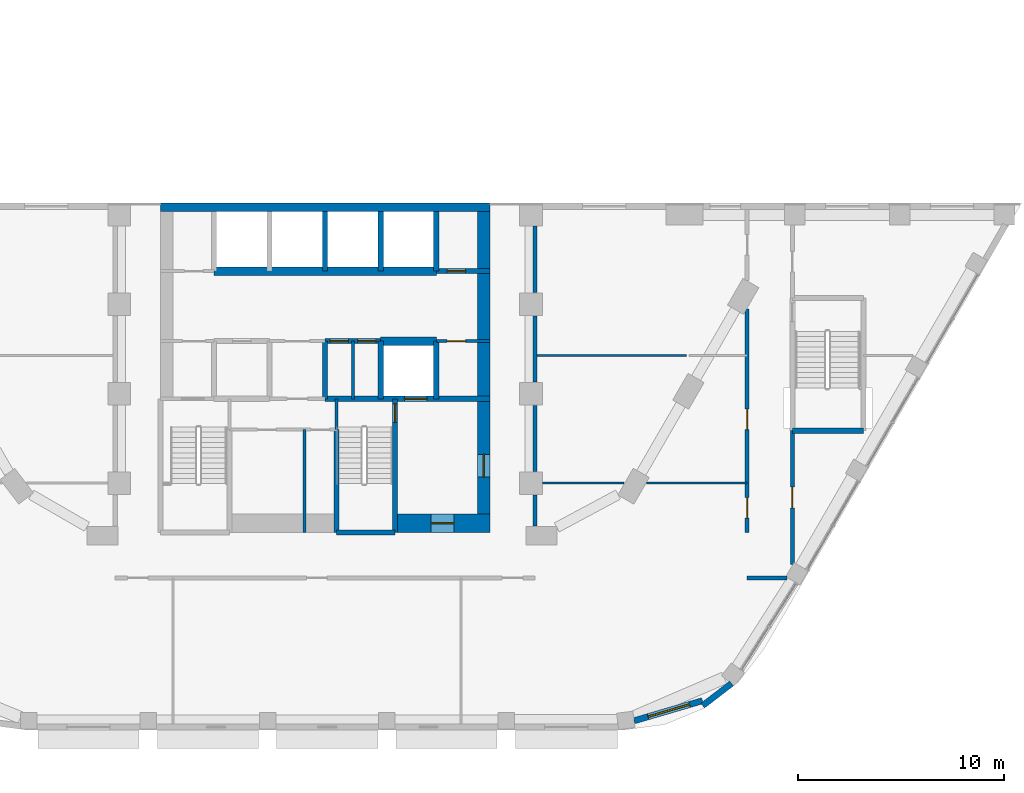
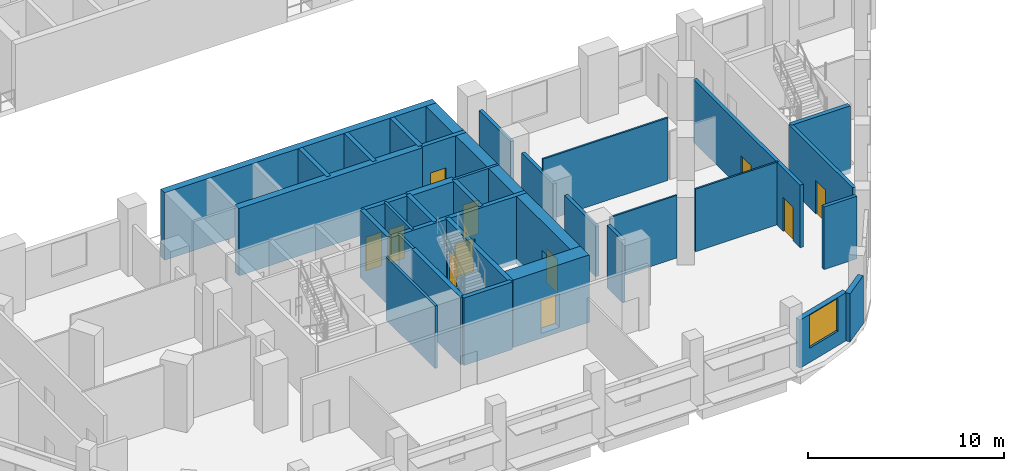
# One storey, part 18 of 33: 34 walls, 11 doors, 1 window, 12 openings.
"""IFC4 building model written with IfcOpenShell, lengths in metres."""

from ifc_helpers import new_model, si_unit, direction, frame, frame_2d, origin, place, context, subcontext, project, spatial, rectangle, extrude, material, layer, layer_set, type_object, element, fill, save


model = new_model("IFC4")

# Units and contexts
model_context = context("Model", 3, precision=1e-05, world=origin(), true_north=direction((0.0, 1.0)))
body_context = subcontext(model_context, "Body", "Model", "MODEL_VIEW")
ifc_project = project(units=[si_unit("LENGTHUNIT", "METRE"), si_unit("AREAUNIT", "SQUARE_METRE"), si_unit("VOLUMEUNIT", "CUBIC_METRE"), si_unit("PLANEANGLEUNIT", "RADIAN"), si_unit("MASSUNIT", "GRAM", prefix="KILO")], contexts=[model_context])

# Site, building, storey
site_placement = place(None, origin())
site = spatial("IfcSite", under=ifc_project, at=site_placement, CompositionType="ELEMENT")
building_placement = place(site_placement, origin())
building = spatial("IfcBuilding", under=site, at=building_placement, Name="Nakaniwa Court", CompositionType="ELEMENT")
storey_placement = place(building_placement, frame((0.0, 0.0, 19.800048828125)))
storey = spatial("IfcBuildingStorey", under=building, at=storey_placement, Name="L04", CompositionType="ELEMENT", Elevation=19.800048828125)

# Wall, opening, door
ifc_material_1 = material(Name="Acoustic double stud partition")
ifc_layer_1 = layer(ifc_material_1, 0.199951171875)
ifc_layer_set_1 = layer_set([ifc_layer_1], Name="Acoustic double stud partition")
wall_type_1 = type_object("IfcWallType", Name="Acoustic double stud partition 200", PredefinedType="PARTITIONING", material=ifc_layer_set_1)
wall_1_placement = place(storey_placement, frame((102.699951171875, 61.552978515625, 0.0), z_axis=(0.0, 0.0, 1.0), x_axis=(0.0, -1.0, 0.0)))
wall_1 = element("IfcWall", 1, at=wall_1_placement, inside=storey, type_object=wall_type_1, Name="Partition PW-079", PredefinedType="PARTITIONING", context=body_context, shape_type="SweptSolid", body=[
    extrude(rectangle(XDim=6.49853515625, YDim=0.199951171875, at=frame_2d((3.249267578125, 0.0))), origin(), (0.0, 0.0, 1.0), 3.89990234375),
])
opening_1_placement = place(wall_1_placement, frame((2.75, 0.0, 0.0)))
opening_1 = element("IfcOpeningElement", 2, at=opening_1_placement, cuts=wall_1, Name="Opening D-02-10", PredefinedType="OPENING", context=body_context, shape_type="SweptSolid", body=[
    extrude(rectangle(XDim=1.0, YDim=2.10009765625, at=frame_2d((0.5, 1.050048828125))), frame((0.0, 0.10986328125, 0.0), z_axis=(0.0, -1.0, 0.0), x_axis=(1.0, 0.0, 0.0)), (0.0, 0.0, 1.0), 0.219970703125),
])
ifc_material_2 = material(Name="Solid core timber door set, black veneer", Category="wood")
door_type_1 = type_object("IfcDoorType", Name="Internal door 1000", OperationType="NOTDEFINED", PredefinedType="DOOR", material=ifc_material_2)
door_1_placement = place(opening_1_placement, origin())
door_1 = element("IfcDoor", 3, at=door_1_placement, inside=storey, type_object=door_type_1, Name="Door D-02-10 L04-041", OperationType="SINGLE_SWING_RIGHT", OverallHeight=2.10009765625, OverallWidth=1.0, PredefinedType="DOOR", context=body_context, shape_type="SweptSolid", body=[
    extrude(rectangle(XDim=1.0, YDim=2.10009765625, at=frame_2d((0.5, 1.050048828125))), frame((0.0, 0.02490234375, 0.0), z_axis=(0.0, -1.0, 0.0), x_axis=(1.0, 0.0, 0.0)), (0.0, 0.0, 1.0), 0.050048828125),
])
fill(opening_1, door_1)

# Wall, openings, doors
wall_2_placement = place(storey_placement, frame((100.5, 56.596923828125, 0.0), z_axis=(0.0, 0.0, 1.0), x_axis=(0.0, 1.0, 0.0)))
wall_2 = element("IfcWall", 4, at=wall_2_placement, inside=storey, type_object=wall_type_1, Name="Partition PW-083", PredefinedType="PARTITIONING", context=body_context, shape_type="SweptSolid", body=[
    extrude(rectangle(XDim=10.873291015625, YDim=0.199951171875, at=frame_2d((5.4365234375, 0.0))), origin(), (0.0, 0.0, 1.0), 3.89990234375),
])
opening_2_placement = place(wall_2_placement, frame((5.0029296875, 0.0, 0.0)))
opening_2 = element("IfcOpeningElement", 5, at=opening_2_placement, cuts=wall_2, Name="Opening D-02-14", PredefinedType="OPENING", context=body_context, shape_type="SweptSolid", body=[
    extrude(rectangle(XDim=1.0, YDim=2.10009765625, at=frame_2d((0.5, 1.050048828125))), frame((0.0, 0.10986328125, 0.0), z_axis=(0.0, -1.0, 0.0), x_axis=(1.0, 0.0, 0.0)), (0.0, 0.0, 1.0), 0.219970703125),
])
opening_3_placement = place(wall_2_placement, frame((0.702880859375, 0.0, 0.0)))
opening_3 = element("IfcOpeningElement", 6, at=opening_3_placement, cuts=wall_2, Name="Opening D-02-15", PredefinedType="OPENING", context=body_context, shape_type="SweptSolid", body=[
    extrude(rectangle(XDim=1.0, YDim=2.10009765625, at=frame_2d((0.5, 1.050048828125))), frame((0.0, 0.10986328125, 0.0), z_axis=(0.0, -1.0, 0.0), x_axis=(1.0, 0.0, 0.0)), (0.0, 0.0, 1.0), 0.219970703125),
])
door_2_placement = place(opening_2_placement, origin())
door_2 = element("IfcDoor", 7, at=door_2_placement, inside=storey, type_object=door_type_1, Name="Door D-02-14 L04-045", OperationType="SINGLE_SWING_RIGHT", OverallHeight=2.10009765625, OverallWidth=1.0, PredefinedType="DOOR", context=body_context, shape_type="SweptSolid", body=[
    extrude(rectangle(XDim=1.0, YDim=2.10009765625, at=frame_2d((0.5, 1.050048828125))), frame((0.0, 0.02490234375, 0.0), z_axis=(0.0, -1.0, 0.0), x_axis=(1.0, 0.0, 0.0)), (0.0, 0.0, 1.0), 0.050048828125),
])
fill(opening_2, door_2)
door_3_placement = place(opening_3_placement, origin())
door_3 = element("IfcDoor", 8, at=door_3_placement, inside=storey, type_object=door_type_1, Name="Door D-02-15 L04-046", OperationType="SINGLE_SWING_LEFT", OverallHeight=2.10009765625, OverallWidth=1.0, PredefinedType="DOOR", context=body_context, shape_type="SweptSolid", body=[
    extrude(rectangle(XDim=1.0, YDim=2.10009765625, at=frame_2d((0.5, 1.050048828125))), frame((0.0, 0.02490234375, 0.0), z_axis=(0.0, -1.0, 0.0), x_axis=(1.0, 0.0, 0.0)), (0.0, 0.0, 1.0), 0.050048828125),
])
fill(opening_3, door_3)

# Walls
wall_3_placement = place(storey_placement, frame((90.199951171875, 56.9169921875, 0.0), z_axis=(0.0, 0.0, 1.0), x_axis=(0.0, 1.0, 0.0)))
element("IfcWall", 9, at=wall_3_placement, inside=storey, type_object=wall_type_1, Name="Partition PW-100", PredefinedType="PARTITIONING", context=body_context, shape_type="SweptSolid", body=[
    extrude(rectangle(XDim=1.51611328125, YDim=0.199951171875, at=frame_2d((0.758056640625, 0.0))), origin(), (0.0, 0.0, 1.0), 3.89990234375),
])
for number, where, z_axis, x_axis, name in (
    (10, (90.199951171875, 59.56689453125, 0.0), (0.0, 0.0, 1.0), (0.0, 1.0, 0.0), "Partition PW-101"),
    (11, (90.199951171875, 63.9169921875, 0.0), (0.0, 0.0, 1.0), (0.0, 1.0, 0.0), "Partition PW-102"),
):
    element("IfcWall", number, at=place(storey_placement, frame(where, z_axis=z_axis, x_axis=x_axis)), inside=storey, type_object=wall_type_1, Name=name, PredefinedType="PARTITIONING", context=body_context, shape_type="SweptSolid", body=[
        extrude(rectangle(XDim=3.216064453125, YDim=0.199951171875, at=frame_2d((1.60791015625, 0.0))), origin(), (0.0, 0.0, 1.0), 3.1298828125),
    ])
wall_4_placement = place(storey_placement, frame((90.199951171875, 68.26708984375, 0.0), z_axis=(0.0, 0.0, 1.0), x_axis=(0.0, 1.0, 0.0)))
element("IfcWall", 12, at=wall_4_placement, inside=storey, type_object=wall_type_1, Name="Partition PW-103", PredefinedType="PARTITIONING", context=body_context, shape_type="SweptSolid", body=[
    extrude(rectangle(XDim=3.2158203125, YDim=0.199951171875, at=frame_2d((1.60791015625, 0.0))), origin(), (0.0, 0.0, 1.0), 3.1298828125),
])
wall_5_placement = place(storey_placement, frame((100.5, 54.39990234375, 0.0), z_axis=(0.0, 0.0, 1.0), x_axis=(1.0, 0.0, 0.0)))
element("IfcWall", 13, at=wall_5_placement, inside=storey, type_object=wall_type_1, Name="Partition PW-132", PredefinedType="PARTITIONING", context=body_context, shape_type="SweptSolid", body=[
    extrude(rectangle(XDim=1.93408203125, YDim=0.199951171875, at=frame_2d((0.967041015625, 0.0))), origin(), (0.0, 0.0, 1.0), 3.89990234375),
])

# Wall, opening, window
ifc_material_3 = material(Name="Charcoal ceramic cladding")
ifc_layer_2 = layer(ifc_material_3, 0.02, Name="Ceramic cladding")
ifc_material_4 = material(Name="Ventilated air cavity")
ifc_layer_3 = layer(ifc_material_4, 0.04, ventilated=True, Name="Ventilated cavity")
ifc_material_5 = material(Name="Mineral wool insulation")
ifc_layer_4 = layer(ifc_material_5, 0.1, Name="Insulation")
ifc_material_6 = material(Name="Cement bonded sheathing board")
ifc_layer_5 = layer(ifc_material_6, 0.012, Name="Sheathing")
ifc_material_7 = material(Name="Cold-formed galvanised stud frame with mineral wool infill")
ifc_layer_6 = layer(ifc_material_7, 0.1, Name="Stud frame")
ifc_material_8 = material(Name="Fire-rated gypsum plasterboard lining")
ifc_layer_7 = layer(ifc_material_8, 0.028, Name="Lining")
ifc_layer_set_2 = layer_set([ifc_layer_2, ifc_layer_3, ifc_layer_4, ifc_layer_5, ifc_layer_6, ifc_layer_7], Name="Charcoal ceramic faced external wall system")
wall_type_2 = type_object("IfcWallType", Name="Black ceramic faced external wall 300", PredefinedType="SOLIDWALL", material=ifc_layer_set_2)
wall_6_placement = place(storey_placement, frame((95.00732421875, 47.45654296875, 0.0), z_axis=(0.0, 0.0, 1.0), x_axis=(0.959578633815, 0.281440660756, 0.0)))
wall_6 = element("IfcWall", 14, at=wall_6_placement, inside=storey, type_object=wall_type_2, Name="L04 external wall 24", PredefinedType="SOLIDWALL", context=body_context, shape_type="SweptSolid", body=[
    extrude(rectangle(XDim=3.461181640625, YDim=0.300048828125, at=frame_2d((1.73046875, 0.0))), origin(), (0.0, 0.0, 1.0), 3.0),
])
opening_4_placement = place(wall_6_placement, frame((0.705810546875, 0.0, 0.89990234375)))
opening_4 = element("IfcOpeningElement", 15, at=opening_4_placement, cuts=wall_6, Name="Opening W2.20", PredefinedType="OPENING", context=body_context, shape_type="SweptSolid", body=[
    extrude(rectangle(XDim=2.10009765625, YDim=2.050048828125, at=frame_2d((1.050048828125, 1.02490234375))), frame((0.0, 0.159912109375, 0.0), z_axis=(0.0, -1.0, 0.0), x_axis=(1.0, 0.0, 0.0)), (0.0, 0.0, 1.0), 0.320068359375),
])
ifc_material_9 = material(Name="Black anodised aluminium frame with dark low-E laminated double glazing", Category="aluminium")
window_type = type_object("IfcWindowType", Name="Dark glass window 2100x2050 sill 900", PartitioningType="SINGLE_PANEL", PredefinedType="WINDOW", material=ifc_material_9)
window_placement = place(opening_4_placement, origin())
window = element("IfcWindow", 16, at=window_placement, inside=storey, type_object=window_type, Name="L04 habitable room window 24-0", OverallHeight=2.050048828125, OverallWidth=2.10009765625, PartitioningType="SINGLE_PANEL", PredefinedType="WINDOW", context=body_context, shape_type="SweptSolid", body=[
    extrude(rectangle(XDim=2.10009765625, YDim=2.050048828125, at=frame_2d((1.050048828125, 1.02490234375))), frame((0.0, 0.030029296875, 0.0), z_axis=(0.0, -1.0, 0.0), x_axis=(1.0, 0.0, 0.0)), (0.0, 0.0, 1.0), 0.06005859375),
])
fill(opening_4, window)

# Wall
wall_7_placement = place(storey_placement, frame((98.342529296875, 48.19091796875, 0.0), z_axis=(0.0, 0.0, 1.0), x_axis=(0.793403972369, 0.608695438318, 0.0)))
element("IfcWall", 17, at=wall_7_placement, inside=storey, type_object=wall_type_2, Name="L04 external wall 25", PredefinedType="SOLIDWALL", context=body_context, shape_type="SweptSolid", body=[
    extrude(rectangle(XDim=1.76708984375, YDim=0.300048828125, at=frame_2d((0.883544921875, 0.0))), origin(), (0.0, 0.0, 1.0), 3.0),
])

# Wall, opening, door
ifc_material_10 = material(Name="Blockwork partition", Category="masonry")
ifc_layer_8 = layer(ifc_material_10, 0.14990234375)
ifc_layer_set_3 = layer_set([ifc_layer_8], Name="Blockwork partition")
wall_type_3 = type_object("IfcWallType", Name="Blockwork partition 150", PredefinedType="PARTITIONING", material=ifc_layer_set_3)
wall_8_placement = place(storey_placement, frame((88.0, 65.89990234375, 0.0), z_axis=(0.0, 0.0, 1.0), x_axis=(-1.0, 0.0, 0.0)))
wall_8 = element("IfcWall", 18, at=wall_8_placement, inside=storey, type_object=wall_type_3, Name="Partition PW-056", PredefinedType="PARTITIONING", context=body_context, shape_type="SweptSolid", body=[
    extrude(rectangle(XDim=2.60302734375, YDim=0.14990234375, at=frame_2d((1.301513671875, 0.0))), origin(), (0.0, 0.0, 1.0), 3.89990234375),
])
opening_5_placement = place(wall_8_placement, frame((1.175048828125, 0.0, 0.0)))
opening_5 = element("IfcOpeningElement", 19, at=opening_5_placement, cuts=wall_8, Name="Opening D-05-14", PredefinedType="OPENING", context=body_context, shape_type="SweptSolid", body=[
    extrude(rectangle(XDim=0.89990234375, YDim=2.10009765625, at=frame_2d((0.449951171875, 1.050048828125))), frame((0.0, 0.0849609375, 0.0), z_axis=(0.0, -1.0, 0.0), x_axis=(1.0, 0.0, 0.0)), (0.0, 0.0, 1.0), 0.169921875),
])
ifc_material_11 = material(Name="Fire rated steel door set", Category="steel")
door_type_2 = type_object("IfcDoorType", Name="Service room door 900", OperationType="NOTDEFINED", PredefinedType="DOOR", material=ifc_material_11)
door_4_placement = place(opening_5_placement, origin())
door_4 = element("IfcDoor", 20, at=door_4_placement, inside=storey, type_object=door_type_2, Name="Door D-05-14 L04-021", OperationType="SINGLE_SWING_RIGHT", OverallHeight=2.10009765625, OverallWidth=0.89990234375, PredefinedType="DOOR", context=body_context, shape_type="SweptSolid", body=[
    extrude(rectangle(XDim=0.89990234375, YDim=2.10009765625, at=frame_2d((0.449951171875, 1.050048828125))), frame((0.0, 0.02490234375, 0.0), z_axis=(0.0, -1.0, 0.0), x_axis=(1.0, 0.0, 0.0)), (0.0, 0.0, 1.0), 0.050048828125),
])
fill(opening_5, door_4)

# Walls
wall_9_placement = place(storey_placement, frame((81.35009765625, 63.10009765625, 0.0), z_axis=(0.0, 0.0, 1.0), x_axis=(0.0, 1.0, 0.0)))
element("IfcWall", 21, at=wall_9_placement, inside=storey, type_object=wall_type_3, Name="Partition PW-064", PredefinedType="PARTITIONING", context=body_context, shape_type="SweptSolid", body=[
    extrude(rectangle(XDim=2.7998046875, YDim=0.14990234375, at=frame_2d((1.39990234375, 0.0))), origin(), (0.0, 0.0, 1.0), 3.89990234375),
])
wall_10_placement = place(storey_placement, frame((78.989990234375, 56.60009765625, 0.0), z_axis=(0.0, 0.0, 1.0), x_axis=(0.0, 1.0, 0.0)))
element("IfcWall", 22, at=wall_10_placement, inside=storey, type_object=wall_type_3, Name="Partition PW-076", PredefinedType="PARTITIONING", context=body_context, shape_type="SweptSolid", body=[
    extrude(rectangle(XDim=5.0, YDim=0.14990234375, at=frame_2d((2.5, 0.0))), origin(), (0.0, 0.0, 1.0), 3.89990234375),
])

# Wall, opening, door
ifc_material_12 = material(Name="Concrete C100/115", Category="concrete")
ifc_layer_9 = layer(ifc_material_12, 0.60009765625)
ifc_layer_set_4 = layer_set([ifc_layer_9], Name="Concrete C100/115")
wall_type_4 = type_object("IfcWallType", Name="Concrete core side wall 600 C100", PredefinedType="SHEAR", material=ifc_layer_set_4)
wall_11_placement = place(storey_placement, frame((87.699951171875, 72.199951171875, -0.300048828125), z_axis=(0.0, 0.0, 1.0), x_axis=(0.0, -1.0, 0.0)))
wall_11 = element("IfcWall", 23, at=wall_11_placement, inside=storey, type_object=wall_type_4, Name="Core wall SW-53", PredefinedType="SHEAR", context=body_context, shape_type="SweptSolid", body=[
    extrude(rectangle(XDim=15.599853515625, YDim=0.60009765625, at=frame_2d((7.7998046875, 0.0))), origin(), (0.0, 0.0, 1.0), 4.199951171875),
])
opening_6_placement = place(wall_11_placement, frame((11.800048828125, 0.0, 0.300048828125)))
opening_6 = element("IfcOpeningElement", 24, at=opening_6_placement, cuts=wall_11, Name="Opening D-10-03", PredefinedType="OPENING", context=body_context, shape_type="SweptSolid", body=[
    extrude(rectangle(XDim=1.10009765625, YDim=2.10009765625, at=frame_2d((0.550048828125, 1.050048828125))), frame((0.0, 0.31005859375, 0.0), z_axis=(0.0, -1.0, 0.0), x_axis=(1.0, 0.0, 0.0)), (0.0, 0.0, 1.0), 0.6201171875),
])
door_type_3 = type_object("IfcDoorType", Name="Firefighting lobby door 1100", OperationType="NOTDEFINED", PredefinedType="DOOR", material=ifc_material_11)
door_5_placement = place(opening_6_placement, origin())
door_5 = element("IfcDoor", 25, at=door_5_placement, inside=storey, type_object=door_type_3, Name="Door D-10-03 L04-055", OperationType="SINGLE_SWING_RIGHT", OverallHeight=2.10009765625, OverallWidth=1.10009765625, PredefinedType="DOOR", context=body_context, shape_type="SweptSolid", body=[
    extrude(rectangle(XDim=1.10009765625, YDim=2.10009765625, at=frame_2d((0.550048828125, 1.050048828125))), frame((0.0, 0.02490234375, 0.0), z_axis=(0.0, -1.0, 0.0), x_axis=(1.0, 0.0, 0.0)), (0.0, 0.0, 1.0), 0.050048828125),
])
fill(opening_6, door_5)

# Walls
ifc_layer_10 = layer(ifc_material_12, 0.39990234375)
ifc_layer_set_5 = layer_set([ifc_layer_10], Name="Concrete C100/115")
wall_type_5 = type_object("IfcWallType", Name="Concrete core spine wall 400 C100", PredefinedType="SHEAR", material=ifc_layer_set_5)
wall_12_placement = place(storey_placement, frame((74.60009765625, 69.300048828125, -0.300048828125), z_axis=(0.0, 0.0, 1.0), x_axis=(1.0, 0.0, 0.0)))
element("IfcWall", 26, at=wall_12_placement, inside=storey, type_object=wall_type_5, Name="Core wall SW-45", PredefinedType="SHEAR", context=body_context, shape_type="SweptSolid", body=[
    extrude(rectangle(XDim=10.7998046875, YDim=0.39990234375, at=frame_2d((5.39990234375, 0.0))), origin(), (0.0, 0.0, 1.0), 4.199951171875),
])
wall_13_placement = place(storey_placement, frame((82.697021484375, 65.89990234375, -0.300048828125), z_axis=(0.0, 0.0, 1.0), x_axis=(1.0, 0.0, 0.0)))
element("IfcWall", 27, at=wall_13_placement, inside=storey, type_object=wall_type_5, Name="Core wall SW-59", PredefinedType="SHEAR", context=body_context, shape_type="SweptSolid", body=[
    extrude(rectangle(XDim=2.7060546875, YDim=0.39990234375, at=frame_2d((1.35302734375, 0.0))), origin(), (0.0, 0.0, 1.0), 4.199951171875),
])
ifc_layer_11 = layer(ifc_material_12, 0.14990234375)
ifc_layer_set_6 = layer_set([ifc_layer_11], Name="Concrete C100/115")
wall_type_6 = type_object("IfcWallType", Name="Concrete core wall 150 C100", PredefinedType="SHEAR", material=ifc_layer_set_6)
wall_14_placement = place(storey_placement, frame((80.550048828125, 61.596923828125, -0.300048828125), z_axis=(0.0, 0.0, 1.0), x_axis=(0.0, 1.0, 0.0)))
element("IfcWall", 28, at=wall_14_placement, inside=storey, type_object=wall_type_6, Name="Core wall SW-71", PredefinedType="SHEAR", context=body_context, shape_type="SweptSolid", body=[
    extrude(rectangle(XDim=1.503173828125, YDim=0.14990234375, at=frame_2d((0.75146484375, 0.0))), origin(), (0.0, 0.0, 1.0), 4.199951171875),
])
ifc_layer_12 = layer(ifc_material_12, 0.25)
ifc_layer_set_7 = layer_set([ifc_layer_12], Name="Concrete C100/115")
wall_type_7 = type_object("IfcWallType", Name="Concrete core wall 250 C100", PredefinedType="SHEAR", material=ifc_layer_set_7)
wall_15_placement = place(storey_placement, frame((80.550048828125, 56.60009765625, -0.300048828125), z_axis=(0.0, 0.0, 1.0), x_axis=(1.0, 0.0, 0.0)))
element("IfcWall", 29, at=wall_15_placement, inside=storey, type_object=wall_type_7, Name="Core wall SW-69", PredefinedType="SHEAR", context=body_context, shape_type="SweptSolid", body=[
    extrude(rectangle(XDim=2.849853515625, YDim=0.25, at=frame_2d((1.4248046875, 0.0))), origin(), (0.0, 0.0, 1.0), 4.199951171875),
])
wall_16_placement = place(storey_placement, frame((102.699951171875, 61.550048828125, -0.300048828125), z_axis=(0.0, 0.0, 1.0), x_axis=(1.0, 0.0, 0.0)))
element("IfcWall", 30, at=wall_16_placement, inside=storey, type_object=wall_type_7, Name="Core wall SW-136", PredefinedType="SHEAR", context=body_context, shape_type="SweptSolid", body=[
    extrude(rectangle(XDim=3.449951171875, YDim=0.25, at=frame_2d((1.72509765625, 0.0))), origin(), (0.0, 0.0, 1.0), 4.199951171875),
])

# Wall, opening, door
ifc_layer_13 = layer(ifc_material_12, 0.89990234375)
ifc_layer_set_8 = layer_set([ifc_layer_13], Name="Concrete C100/115")
wall_type_8 = type_object("IfcWallType", Name="Concrete core wall 900 C100", PredefinedType="SHEAR", material=ifc_layer_set_8)
wall_17_placement = place(storey_placement, frame((88.0, 57.050048828125, -0.300048828125), z_axis=(0.0, 0.0, 1.0), x_axis=(-1.0, 0.0, 0.0)))
wall_17 = element("IfcWall", 31, at=wall_17_placement, inside=storey, type_object=wall_type_8, Name="Core wall SW-74", PredefinedType="SHEAR", context=body_context, shape_type="SweptSolid", body=[
    extrude(rectangle(XDim=4.60009765625, YDim=0.89990234375, at=frame_2d((2.300048828125, 0.0))), origin(), (0.0, 0.0, 1.0), 4.199951171875),
])
opening_7_placement = place(wall_17_placement, frame((1.751953125, 0.0, 0.300048828125)))
opening_7 = element("IfcOpeningElement", 32, at=opening_7_placement, cuts=wall_17, Name="Opening D-10-04", PredefinedType="OPENING", context=body_context, shape_type="SweptSolid", body=[
    extrude(rectangle(XDim=1.10009765625, YDim=2.10009765625, at=frame_2d((0.550048828125, 1.050048828125))), frame((0.0, 0.4599609375, 0.0), z_axis=(0.0, -1.0, 0.0), x_axis=(1.0, 0.0, 0.0)), (0.0, 0.0, 1.0), 0.919921875),
])
door_6_placement = place(opening_7_placement, origin())
door_6 = element("IfcDoor", 33, at=door_6_placement, inside=storey, type_object=door_type_3, Name="Door D-10-04 L04-056", OperationType="SINGLE_SWING_LEFT", OverallHeight=2.10009765625, OverallWidth=1.10009765625, PredefinedType="DOOR", context=body_context, shape_type="SweptSolid", body=[
    extrude(rectangle(XDim=1.10009765625, YDim=2.10009765625, at=frame_2d((0.550048828125, 1.050048828125))), frame((0.0, 0.02490234375, 0.0), z_axis=(0.0, -1.0, 0.0), x_axis=(1.0, 0.0, 0.0)), (0.0, 0.0, 1.0), 0.050048828125),
])
fill(opening_7, door_6)

# Walls
ifc_layer_14 = layer(ifc_material_12, 0.39990234375)
ifc_layer_set_9 = layer_set([ifc_layer_14], Name="Concrete C100/115")
wall_type_9 = type_object("IfcWallType", Name="Concrete core well wall 400 C100", PredefinedType="SHEAR", material=ifc_layer_set_9)
wall_18_placement = place(storey_placement, frame((72.00390625, 72.39990234375, -0.300048828125), z_axis=(0.0, 0.0, 1.0), x_axis=(1.0, 0.0, 0.0)))
element("IfcWall", 34, at=wall_18_placement, inside=storey, type_object=wall_type_9, Name="Core wall SW-151", PredefinedType="SHEAR", context=body_context, shape_type="SweptSolid", body=[
    extrude(rectangle(XDim=15.9921875, YDim=0.39990234375, at=frame_2d((7.99609375, 0.0))), origin(), (0.0, 0.0, 1.0), 4.199951171875),
])
ifc_layer_15 = layer(ifc_material_12, 0.25)
ifc_layer_set_10 = layer_set([ifc_layer_15], Name="Concrete C100/115")
wall_type_10 = type_object("IfcWallType", Name="Concrete shaft wall 250 C100", PredefinedType="SHEAR", material=ifc_layer_set_10)
wall_19_placement = place(storey_placement, frame((80.0, 63.10009765625, -0.300048828125), z_axis=(0.0, 0.0, 1.0), x_axis=(0.0, 1.0, 0.0)))
element("IfcWall", 35, at=wall_19_placement, inside=storey, type_object=wall_type_10, Name="Core wall SW-46", PredefinedType="SHEAR", context=body_context, shape_type="SweptSolid", body=[
    extrude(rectangle(XDim=2.7998046875, YDim=0.25, at=frame_2d((1.39990234375, 0.0))), origin(), (0.0, 0.0, 1.0), 4.199951171875),
])
wall_20_placement = place(storey_placement, frame((80.0, 69.300048828125, -0.300048828125), z_axis=(0.0, 0.0, 1.0), x_axis=(0.0, 1.0, 0.0)))
element("IfcWall", 36, at=wall_20_placement, inside=storey, type_object=wall_type_10, Name="Core wall SW-47", PredefinedType="SHEAR", context=body_context, shape_type="SweptSolid", body=[
    extrude(rectangle(XDim=2.89990234375, YDim=0.25, at=frame_2d((1.449951171875, 0.0))), origin(), (0.0, 0.0, 1.0), 4.199951171875),
])
wall_21_placement = place(storey_placement, frame((82.699951171875, 63.10009765625, -0.300048828125), z_axis=(0.0, 0.0, 1.0), x_axis=(0.0, 1.0, 0.0)))
element("IfcWall", 37, at=wall_21_placement, inside=storey, type_object=wall_type_10, Name="Core wall SW-48", PredefinedType="SHEAR", context=body_context, shape_type="SweptSolid", body=[
    extrude(rectangle(XDim=2.7998046875, YDim=0.25, at=frame_2d((1.39990234375, 0.0))), origin(), (0.0, 0.0, 1.0), 4.199951171875),
])
wall_22_placement = place(storey_placement, frame((82.699951171875, 69.300048828125, -0.300048828125), z_axis=(0.0, 0.0, 1.0), x_axis=(0.0, 1.0, 0.0)))
element("IfcWall", 38, at=wall_22_placement, inside=storey, type_object=wall_type_10, Name="Core wall SW-49", PredefinedType="SHEAR", context=body_context, shape_type="SweptSolid", body=[
    extrude(rectangle(XDim=2.89990234375, YDim=0.25, at=frame_2d((1.449951171875, 0.0))), origin(), (0.0, 0.0, 1.0), 4.199951171875),
])
wall_23_placement = place(storey_placement, frame((85.39990234375, 63.10009765625, -0.300048828125), z_axis=(0.0, 0.0, 1.0), x_axis=(0.0, 1.0, 0.0)))
element("IfcWall", 39, at=wall_23_placement, inside=storey, type_object=wall_type_10, Name="Core wall SW-50", PredefinedType="SHEAR", context=body_context, shape_type="SweptSolid", body=[
    extrude(rectangle(XDim=2.7998046875, YDim=0.25, at=frame_2d((1.39990234375, 0.0))), origin(), (0.0, 0.0, 1.0), 4.199951171875),
])
wall_24_placement = place(storey_placement, frame((85.39990234375, 69.300048828125, -0.300048828125), z_axis=(0.0, 0.0, 1.0), x_axis=(0.0, 1.0, 0.0)))
element("IfcWall", 40, at=wall_24_placement, inside=storey, type_object=wall_type_10, Name="Core wall SW-51", PredefinedType="SHEAR", context=body_context, shape_type="SweptSolid", body=[
    extrude(rectangle(XDim=2.89990234375, YDim=0.25, at=frame_2d((1.449951171875, 0.0))), origin(), (0.0, 0.0, 1.0), 4.199951171875),
])

# Wall, opening, door
wall_25_placement = place(storey_placement, frame((85.39990234375, 69.300048828125, -0.300048828125), z_axis=(0.0, 0.0, 1.0), x_axis=(1.0, 0.0, 0.0)))
wall_25 = element("IfcWall", 41, at=wall_25_placement, inside=storey, type_object=wall_type_10, Name="Core wall SW-52", PredefinedType="SHEAR", context=body_context, shape_type="SweptSolid", body=[
    extrude(rectangle(XDim=2.60009765625, YDim=0.25, at=frame_2d((1.300048828125, 0.0))), origin(), (0.0, 0.0, 1.0), 4.199951171875),
])
opening_8_placement = place(wall_25_placement, frame((0.52490234375, 0.0, 0.300048828125)))
opening_8 = element("IfcOpeningElement", 42, at=opening_8_placement, cuts=wall_25, Name="Opening D-05-10", PredefinedType="OPENING", context=body_context, shape_type="SweptSolid", body=[
    extrude(rectangle(XDim=0.89990234375, YDim=2.10009765625, at=frame_2d((0.449951171875, 1.050048828125))), frame((0.0, 0.135009765625, 0.0), z_axis=(0.0, -1.0, 0.0), x_axis=(1.0, 0.0, 0.0)), (0.0, 0.0, 1.0), 0.27001953125),
])
door_7_placement = place(opening_8_placement, origin())
door_7 = element("IfcDoor", 43, at=door_7_placement, inside=storey, type_object=door_type_2, Name="Door D-05-10 L04-015", OperationType="SINGLE_SWING_RIGHT", OverallHeight=2.10009765625, OverallWidth=0.89990234375, PredefinedType="DOOR", context=body_context, shape_type="SweptSolid", body=[
    extrude(rectangle(XDim=0.89990234375, YDim=2.10009765625, at=frame_2d((0.449951171875, 1.050048828125))), frame((0.0, 0.02490234375, 0.0), z_axis=(0.0, -1.0, 0.0), x_axis=(1.0, 0.0, 0.0)), (0.0, 0.0, 1.0), 0.050048828125),
])
fill(opening_8, door_7)

# Wall, openings, doors
wall_26_placement = place(storey_placement, frame((82.702880859375, 65.89990234375, -0.300048828125), z_axis=(0.0, 0.0, 1.0), x_axis=(-1.0, 0.0, 0.0)))
wall_26 = element("IfcWall", 44, at=wall_26_placement, inside=storey, type_object=wall_type_10, Name="Core wall SW-58", PredefinedType="SHEAR", context=body_context, shape_type="SweptSolid", body=[
    extrude(rectangle(XDim=2.705810546875, YDim=0.25, at=frame_2d((1.35302734375, 0.0))), origin(), (0.0, 0.0, 1.0), 4.199951171875),
])
opening_9_placement = place(wall_26_placement, frame((1.577880859375, 0.0, 0.300048828125)))
opening_9 = element("IfcOpeningElement", 45, at=opening_9_placement, cuts=wall_26, Name="Opening D-05-12", PredefinedType="OPENING", context=body_context, shape_type="SweptSolid", body=[
    extrude(rectangle(XDim=0.89990234375, YDim=2.10009765625, at=frame_2d((0.449951171875, 1.050048828125))), frame((0.0, 0.135009765625, 0.0), z_axis=(0.0, -1.0, 0.0), x_axis=(1.0, 0.0, 0.0)), (0.0, 0.0, 1.0), 0.27001953125),
])
opening_10_placement = place(wall_26_placement, frame((0.22802734375, 0.0, 0.300048828125)))
opening_10 = element("IfcOpeningElement", 46, at=opening_10_placement, cuts=wall_26, Name="Opening D-05-13", PredefinedType="OPENING", context=body_context, shape_type="SweptSolid", body=[
    extrude(rectangle(XDim=0.89990234375, YDim=2.10009765625, at=frame_2d((0.449951171875, 1.050048828125))), frame((0.0, 0.135009765625, 0.0), z_axis=(0.0, -1.0, 0.0), x_axis=(1.0, 0.0, 0.0)), (0.0, 0.0, 1.0), 0.27001953125),
])
door_8_placement = place(opening_9_placement, origin())
door_8 = element("IfcDoor", 47, at=door_8_placement, inside=storey, type_object=door_type_2, Name="Door D-05-12 L04-019", OperationType="SINGLE_SWING_RIGHT", OverallHeight=2.10009765625, OverallWidth=0.89990234375, PredefinedType="DOOR", context=body_context, shape_type="SweptSolid", body=[
    extrude(rectangle(XDim=0.89990234375, YDim=2.10009765625, at=frame_2d((0.449951171875, 1.050048828125))), frame((0.0, 0.02490234375, 0.0), z_axis=(0.0, -1.0, 0.0), x_axis=(1.0, 0.0, 0.0)), (0.0, 0.0, 1.0), 0.050048828125),
])
fill(opening_9, door_8)
door_9_placement = place(opening_10_placement, origin())
door_9 = element("IfcDoor", 48, at=door_9_placement, inside=storey, type_object=door_type_2, Name="Door D-05-13 L04-020", OperationType="SINGLE_SWING_LEFT", OverallHeight=2.10009765625, OverallWidth=0.89990234375, PredefinedType="DOOR", context=body_context, shape_type="SweptSolid", body=[
    extrude(rectangle(XDim=0.89990234375, YDim=2.10009765625, at=frame_2d((0.449951171875, 1.050048828125))), frame((0.0, 0.02490234375, 0.0), z_axis=(0.0, -1.0, 0.0), x_axis=(1.0, 0.0, 0.0)), (0.0, 0.0, 1.0), 0.050048828125),
])
fill(opening_10, door_9)

# Wall, opening, door
wall_27_placement = place(storey_placement, frame((80.0, 63.10009765625, -0.300048828125), z_axis=(0.0, 0.0, 1.0), x_axis=(1.0, 0.0, 0.0)))
wall_27 = element("IfcWall", 49, at=wall_27_placement, inside=storey, type_object=wall_type_10, Name="Core wall SW-62", PredefinedType="SHEAR", context=body_context, shape_type="SweptSolid", body=[
    extrude(rectangle(XDim=8.0, YDim=0.25, at=frame_2d((4.0, 0.0))), origin(), (0.0, 0.0, 1.0), 4.199951171875),
])
opening_11_placement = place(wall_27_placement, frame((3.84912109375, 0.0, 0.300048828125)))
opening_11 = element("IfcOpeningElement", 50, at=opening_11_placement, cuts=wall_27, Name="Opening LD02", PredefinedType="OPENING", context=body_context, shape_type="SweptSolid", body=[
    extrude(rectangle(XDim=1.10009765625, YDim=2.10009765625, at=frame_2d((0.550048828125, 1.050048828125))), frame((0.0, 0.135009765625, 0.0), z_axis=(0.0, -1.0, 0.0), x_axis=(1.0, 0.0, 0.0)), (0.0, 0.0, 1.0), 0.27001953125),
])
ifc_material_13 = material(Name="Stainless steel sliding lift landing door", Category="steel")
door_type_4 = type_object("IfcDoorType", Name="Lift landing door 1100", OperationType="NOTDEFINED", PredefinedType="DOOR", material=ifc_material_13)
door_10_placement = place(opening_11_placement, origin())
door_10 = element("IfcDoor", 51, at=door_10_placement, inside=storey, type_object=door_type_4, Name="Lift landing door LD02 L04-002", OperationType="SLIDING_TO_LEFT", OverallHeight=2.10009765625, OverallWidth=1.10009765625, PredefinedType="DOOR", context=body_context, shape_type="SweptSolid", body=[
    extrude(rectangle(XDim=1.10009765625, YDim=2.10009765625, at=frame_2d((0.550048828125, 1.050048828125))), frame((0.0, 0.02490234375, 0.0), z_axis=(0.0, -1.0, 0.0), x_axis=(1.0, 0.0, 0.0)), (0.0, 0.0, 1.0), 0.050048828125),
])
fill(opening_11, door_10)

wall_28_placement = place(storey_placement, frame((83.39990234375, 63.10009765625, -0.300048828125), z_axis=(0.0, 0.0, 1.0), x_axis=(0.0, -1.0, 0.0)))
wall_28 = element("IfcWall", 52, at=wall_28_placement, inside=storey, type_object=wall_type_10, Name="Core wall SW-70", PredefinedType="SHEAR", context=body_context, shape_type="SweptSolid", body=[
    extrude(rectangle(XDim=6.5, YDim=0.25, at=frame_2d((3.25, 0.0))), origin(), (0.0, 0.0, 1.0), 4.199951171875),
])
opening_12_placement = place(wall_28_placement, frame((0.25, 0.0, 0.300048828125)))
opening_12 = element("IfcOpeningElement", 53, at=opening_12_placement, cuts=wall_28, Name="Opening D-11-02", PredefinedType="OPENING", context=body_context, shape_type="SweptSolid", body=[
    extrude(rectangle(XDim=0.89990234375, YDim=2.10009765625, at=frame_2d((0.449951171875, 1.050048828125))), frame((0.0, 0.135009765625, 0.0), z_axis=(0.0, -1.0, 0.0), x_axis=(1.0, 0.0, 0.0)), (0.0, 0.0, 1.0), 0.27001953125),
])
door_type_5 = type_object("IfcDoorType", Name="Stair door 900", OperationType="NOTDEFINED", PredefinedType="DOOR", material=ifc_material_11)
door_11_placement = place(opening_12_placement, origin())
door_11 = element("IfcDoor", 54, at=door_11_placement, inside=storey, type_object=door_type_5, Name="Door D-11-02 L04-026", OperationType="SINGLE_SWING_RIGHT", OverallHeight=2.10009765625, OverallWidth=0.89990234375, PredefinedType="DOOR", context=body_context, shape_type="SweptSolid", body=[
    extrude(rectangle(XDim=0.89990234375, YDim=2.10009765625, at=frame_2d((0.449951171875, 1.050048828125))), frame((0.0, 0.02490234375, 0.0), z_axis=(0.0, -1.0, 0.0), x_axis=(1.0, 0.0, 0.0)), (0.0, 0.0, 1.0), 0.050048828125),
])
fill(opening_12, door_11)

# Walls
wall_29_placement = place(storey_placement, frame((80.550048828125, 56.60009765625, -0.300048828125), z_axis=(0.0, 0.0, 1.0), x_axis=(0.0, 1.0, 0.0)))
element("IfcWall", 55, at=wall_29_placement, inside=storey, type_object=wall_type_10, Name="Core wall SW-72", PredefinedType="SHEAR", context=body_context, shape_type="SweptSolid", body=[
    extrude(rectangle(XDim=5.0029296875, YDim=0.25, at=frame_2d((2.50146484375, 0.0))), origin(), (0.0, 0.0, 1.0), 4.199951171875),
])
ifc_material_14 = material(Name="Single stud plasterboard partition")
ifc_layer_16 = layer(ifc_material_14, 0.10009765625)
ifc_layer_set_11 = layer_set([ifc_layer_16], Name="Single stud plasterboard partition")
wall_type_11 = type_object("IfcWallType", Name="Single stud plasterboard partition 100", PredefinedType="PARTITIONING", material=ifc_layer_set_11)
wall_30_placement = place(storey_placement, frame((90.199951171875, 65.199951171875, 0.0), z_axis=(0.0, 0.0, 1.0), x_axis=(1.0, 0.0, 0.0)))
element("IfcWall", 56, at=wall_30_placement, inside=storey, type_object=wall_type_11, Name="Partition PW-140", PredefinedType="PARTITIONING", context=body_context, shape_type="SweptSolid", body=[
    extrude(rectangle(XDim=7.366455078125, YDim=0.10009765625, at=frame_2d((3.68310546875, 0.0))), origin(), (0.0, 0.0, 1.0), 3.89990234375),
])
wall_31_placement = place(storey_placement, frame((90.570068359375, 59.0, 0.0), z_axis=(0.0, 0.0, 1.0), x_axis=(1.0, 0.0, 0.0)))
element("IfcWall", 57, at=wall_31_placement, inside=storey, type_object=wall_type_11, Name="Partition PW-145", PredefinedType="PARTITIONING", context=body_context, shape_type="SweptSolid", body=[
    extrude(rectangle(XDim=3.9560546875, YDim=0.10009765625, at=frame_2d((1.97802734375, 0.0))), origin(), (0.0, 0.0, 1.0), 3.89990234375),
])
wall_32_placement = place(storey_placement, frame((95.611572265625, 59.0, 0.0), z_axis=(0.0, 0.0, 1.0), x_axis=(1.0, 0.0, 0.0)))
element("IfcWall", 58, at=wall_32_placement, inside=storey, type_object=wall_type_11, Name="Partition PW-146", PredefinedType="PARTITIONING", context=body_context, shape_type="SweptSolid", body=[
    extrude(rectangle(XDim=4.888427734375, YDim=0.10009765625, at=frame_2d((2.4443359375, 0.0))), origin(), (0.0, 0.0, 1.0), 3.89990234375),
])

save(model, "model.ifc")
